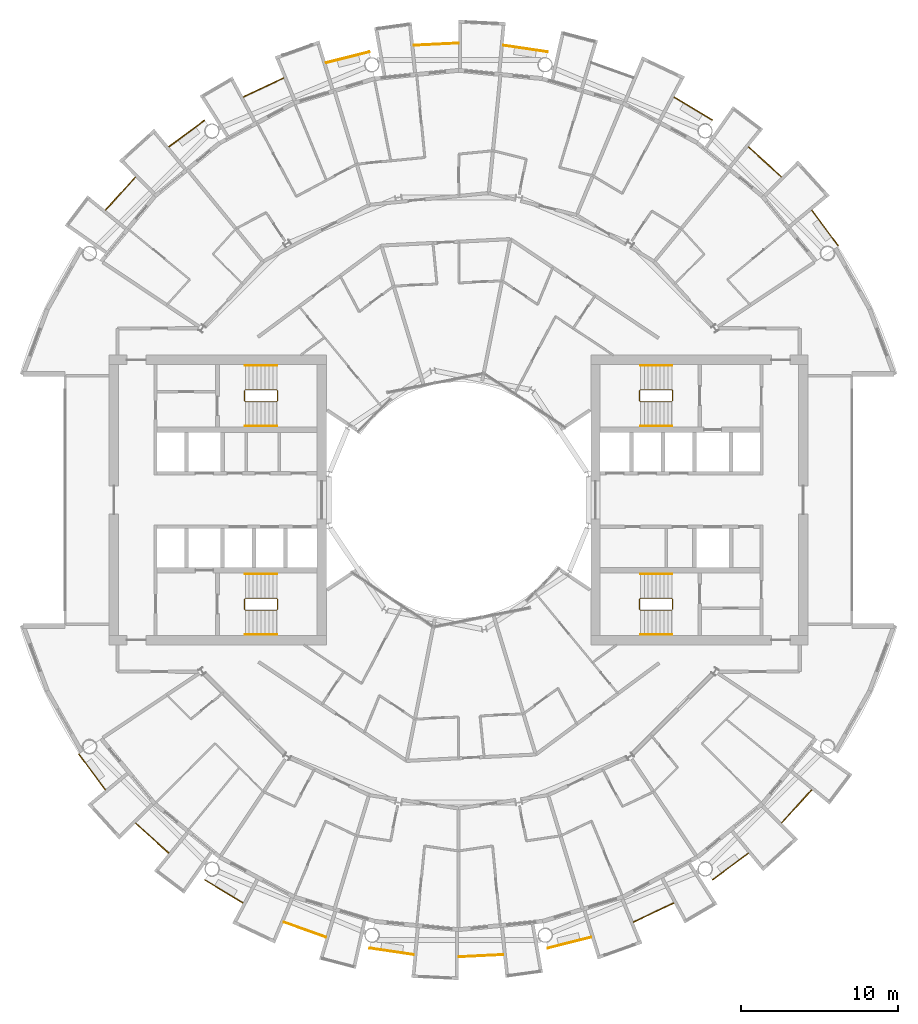
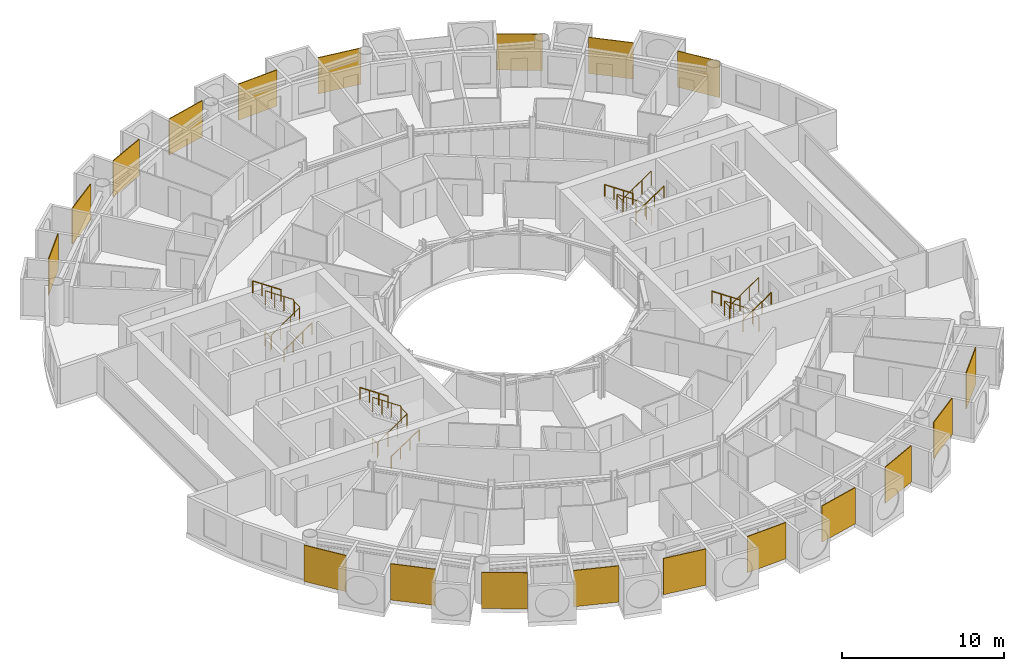
# One storey, part 26 of 27: 31 railings.
"""IFC4 building model written with IfcOpenShell, lengths in metres."""

from ifc_helpers import new_model, si_unit, direction, frame, origin, origin_2d, place, context, subcontext, project, spatial, polyline, circle, outline, extrude, material, layer, layer_set, type_object, element, save


model = new_model("IFC4")

# Units and contexts
model_context = context("Model", 3, precision=1e-05, world=origin(), true_north=direction((0.0, 1.0)))
body_context = subcontext(model_context, "Body", "Model", "MODEL_VIEW")
ifc_project = project(units=[si_unit("LENGTHUNIT", "METRE"), si_unit("AREAUNIT", "SQUARE_METRE"), si_unit("VOLUMEUNIT", "CUBIC_METRE"), si_unit("PLANEANGLEUNIT", "RADIAN"), si_unit("MASSUNIT", "GRAM", prefix="KILO")], contexts=[model_context])

# Site, building, storey
site_placement = place(None, origin())
site = spatial("IfcSite", under=ifc_project, at=site_placement, CompositionType="ELEMENT")
building_placement = place(site_placement, origin())
building = spatial("IfcBuilding", under=site, at=building_placement, Name="Maasbend Ring Residences", CompositionType="ELEMENT")
storey_placement = place(building_placement, frame((0.0, 0.0, 126.89990234375)))
storey = spatial("IfcBuildingStorey", under=building, at=storey_placement, Name="L36", CompositionType="ELEMENT", Elevation=126.89990234375)

# Railings
ifc_material_1 = material(Name="Pale anodised perforated aluminium", Category="aluminium")
ifc_layer = layer(ifc_material_1, 0.06005859375)
ifc_layer_set = layer_set([ifc_layer], Name="SCREEN-P")
railing_type_1 = type_object("IfcRailingType", Name="SCREEN-P", PredefinedType="GUARDRAIL", material=ifc_layer_set)
railing_1_placement = place(storey_placement, frame((0.0, 0.0, -0.02978515625)))
element("IfcRailing", 1, at=railing_1_placement, inside=storey, type_object=railing_type_1, Name="Perforated screen guard 1", PredefinedType="GUARDRAIL", context=body_context, shape_type="SweptSolid", body=[
    extrude(outline(polyline([(24.113037109375, 16.112060546875), (22.4169921875, 18.39697265625), (22.465087890625, 18.43310546875), (24.160888671875, 16.14697265625), (24.113037109375, 16.112060546875)])), origin(), (0.0, 0.0, 1.0), 2.72998046875),
])
railing_2_placement = place(storey_placement, frame((0.0, 0.0, -0.02978515625)))
element("IfcRailing", 2, at=railing_2_placement, inside=storey, type_object=railing_type_1, Name="Perforated screen guard 2", PredefinedType="GUARDRAIL", context=body_context, shape_type="SweptSolid", body=[
    extrude(outline(polyline([(20.506103515625, 20.506103515625), (18.39697265625, 22.4169921875), (18.43798828125, 22.4619140625), (20.5458984375, 20.551025390625), (20.506103515625, 20.506103515625)])), origin(), (0.0, 0.0, 1.0), 2.72998046875),
])
railing_3_placement = place(storey_placement, frame((0.0, 0.0, -0.02978515625)))
element("IfcRailing", 3, at=railing_3_placement, inside=storey, type_object=railing_type_1, Name="Perforated screen guard 3", PredefinedType="GUARDRAIL", context=body_context, shape_type="SweptSolid", body=[
    extrude(outline(polyline([(16.112060546875, 24.113037109375), (13.6708984375, 25.575927734375), (13.700927734375, 25.626953125), (16.14208984375, 24.1640625), (16.112060546875, 24.113037109375)])), origin(), (0.0, 0.0, 1.0), 2.72998046875),
])
railing_4_placement = place(storey_placement, frame((0.0, 0.0, -0.02978515625)))
element("IfcRailing", 4, at=railing_4_placement, inside=storey, type_object=railing_type_1, Name="Perforated screen guard 5", PredefinedType="GUARDRAIL", context=body_context, shape_type="SweptSolid", body=[
    extrude(outline(polyline([(5.657958984375, 28.443115234375), (2.842041015625, 28.860107421875), (2.85107421875, 28.919921875), (5.666015625, 28.501953125), (5.657958984375, 28.443115234375)])), origin(), (0.0, 0.0, 1.0), 2.72998046875),
])
railing_5_placement = place(storey_placement, frame((0.0, 0.0, -0.02978515625)))
element("IfcRailing", 5, at=railing_5_placement, inside=storey, type_object=railing_type_1, Name="Perforated screen guard 6", PredefinedType="GUARDRAIL", context=body_context, shape_type="SweptSolid", body=[
    extrude(outline(polyline([(0.0, 29.0), (-2.842041015625, 28.860107421875), (-2.844970703125, 28.919921875), (-0.0029296875, 29.06005859375), (0.0, 29.0)])), origin(), (0.0, 0.0, 1.0), 2.72998046875),
])
railing_6_placement = place(storey_placement, frame((0.0, 0.0, -0.02978515625)))
element("IfcRailing", 6, at=railing_6_placement, inside=storey, type_object=railing_type_1, Name="Perforated screen guard 7", PredefinedType="GUARDRAIL", context=body_context, shape_type="SweptSolid", body=[
    extrude(outline(polyline([(-5.657958984375, 28.443115234375), (-8.41796875, 27.7509765625), (-8.43310546875, 27.80908203125), (-5.672119140625, 28.5009765625), (-5.657958984375, 28.443115234375)])), origin(), (0.0, 0.0, 1.0), 2.72998046875),
])
railing_7_placement = place(storey_placement, frame((0.0, 0.0, -0.02978515625)))
element("IfcRailing", 7, at=railing_7_placement, inside=storey, type_object=railing_type_1, Name="Perforated screen guard 8", PredefinedType="GUARDRAIL", context=body_context, shape_type="SweptSolid", body=[
    extrude(outline(polyline([(-11.097900390625, 26.79296875), (-13.6708984375, 25.575927734375), (-13.696044921875, 25.6298828125), (-11.123046875, 26.846923828125), (-11.097900390625, 26.79296875)])), origin(), (0.0, 0.0, 1.0), 2.72998046875),
])
railing_8_placement = place(storey_placement, frame((0.0, 0.0, -0.02978515625)))
element("IfcRailing", 8, at=railing_8_placement, inside=storey, type_object=railing_type_1, Name="Perforated screen guard 9", PredefinedType="GUARDRAIL", context=body_context, shape_type="SweptSolid", body=[
    extrude(outline(polyline([(-16.112060546875, 24.113037109375), (-18.39697265625, 22.4169921875), (-18.43310546875, 22.465087890625), (-16.14697265625, 24.160888671875), (-16.112060546875, 24.113037109375)])), origin(), (0.0, 0.0, 1.0), 2.72998046875),
])
railing_9_placement = place(storey_placement, frame((0.0, 0.0, -0.02978515625)))
element("IfcRailing", 9, at=railing_9_placement, inside=storey, type_object=railing_type_1, Name="Perforated screen guard 10", PredefinedType="GUARDRAIL", context=body_context, shape_type="SweptSolid", body=[
    extrude(outline(polyline([(-20.506103515625, 20.506103515625), (-22.4169921875, 18.39697265625), (-22.4619140625, 18.43798828125), (-20.551025390625, 20.5458984375), (-20.506103515625, 20.506103515625)])), origin(), (0.0, 0.0, 1.0), 2.72998046875),
])
railing_10_placement = place(storey_placement, frame((0.0, 0.0, -0.02978515625)))
element("IfcRailing", 10, at=railing_10_placement, inside=storey, type_object=railing_type_1, Name="Perforated screen guard 1", PredefinedType="GUARDRAIL", context=body_context, shape_type="SweptSolid", body=[
    extrude(outline(polyline([(-24.113037109375, -16.112060546875), (-22.4169921875, -18.39697265625), (-22.465087890625, -18.43310546875), (-24.160888671875, -16.14697265625), (-24.113037109375, -16.112060546875)])), origin(), (0.0, 0.0, 1.0), 2.72998046875),
])
railing_11_placement = place(storey_placement, frame((0.0, 0.0, -0.02978515625)))
element("IfcRailing", 11, at=railing_11_placement, inside=storey, type_object=railing_type_1, Name="Perforated screen guard 2", PredefinedType="GUARDRAIL", context=body_context, shape_type="SweptSolid", body=[
    extrude(outline(polyline([(-20.506103515625, -20.506103515625), (-18.39697265625, -22.4169921875), (-18.43798828125, -22.4619140625), (-20.5458984375, -20.551025390625), (-20.506103515625, -20.506103515625)])), origin(), (0.0, 0.0, 1.0), 2.72998046875),
])
railing_12_placement = place(storey_placement, frame((0.0, 0.0, -0.02978515625)))
element("IfcRailing", 12, at=railing_12_placement, inside=storey, type_object=railing_type_1, Name="Perforated screen guard 3", PredefinedType="GUARDRAIL", context=body_context, shape_type="SweptSolid", body=[
    extrude(outline(polyline([(-16.112060546875, -24.113037109375), (-13.6708984375, -25.575927734375), (-13.700927734375, -25.626953125), (-16.14208984375, -24.1640625), (-16.112060546875, -24.113037109375)])), origin(), (0.0, 0.0, 1.0), 2.72998046875),
])
railing_13_placement = place(storey_placement, frame((0.0, 0.0, -0.02978515625)))
element("IfcRailing", 13, at=railing_13_placement, inside=storey, type_object=railing_type_1, Name="Perforated screen guard 4", PredefinedType="GUARDRAIL", context=body_context, shape_type="SweptSolid", body=[
    extrude(outline(polyline([(-11.097900390625, -26.79296875), (-8.41796875, -27.7509765625), (-8.43798828125, -27.80810546875), (-11.117919921875, -26.84912109375), (-11.097900390625, -26.79296875)])), origin(), (0.0, 0.0, 1.0), 2.72998046875),
])
railing_14_placement = place(storey_placement, frame((0.0, 0.0, -0.02978515625)))
element("IfcRailing", 14, at=railing_14_placement, inside=storey, type_object=railing_type_1, Name="Perforated screen guard 5", PredefinedType="GUARDRAIL", context=body_context, shape_type="SweptSolid", body=[
    extrude(outline(polyline([(-5.657958984375, -28.443115234375), (-2.842041015625, -28.860107421875), (-2.85107421875, -28.919921875), (-5.666015625, -28.501953125), (-5.657958984375, -28.443115234375)])), origin(), (0.0, 0.0, 1.0), 2.72998046875),
])
railing_15_placement = place(storey_placement, frame((0.0, 0.0, -0.02978515625)))
element("IfcRailing", 15, at=railing_15_placement, inside=storey, type_object=railing_type_1, Name="Perforated screen guard 6", PredefinedType="GUARDRAIL", context=body_context, shape_type="SweptSolid", body=[
    extrude(outline(polyline([(0.0, -29.0), (2.842041015625, -28.860107421875), (2.844970703125, -28.919921875), (0.0029296875, -29.06005859375), (0.0, -29.0)])), origin(), (0.0, 0.0, 1.0), 2.72998046875),
])
railing_16_placement = place(storey_placement, frame((0.0, 0.0, -0.02978515625)))
element("IfcRailing", 16, at=railing_16_placement, inside=storey, type_object=railing_type_1, Name="Perforated screen guard 7", PredefinedType="GUARDRAIL", context=body_context, shape_type="SweptSolid", body=[
    extrude(outline(polyline([(5.657958984375, -28.443115234375), (8.41796875, -27.7509765625), (8.43310546875, -27.80908203125), (5.672119140625, -28.5009765625), (5.657958984375, -28.443115234375)])), origin(), (0.0, 0.0, 1.0), 2.72998046875),
])
railing_17_placement = place(storey_placement, frame((0.0, 0.0, -0.02978515625)))
element("IfcRailing", 17, at=railing_17_placement, inside=storey, type_object=railing_type_1, Name="Perforated screen guard 8", PredefinedType="GUARDRAIL", context=body_context, shape_type="SweptSolid", body=[
    extrude(outline(polyline([(11.097900390625, -26.79296875), (13.6708984375, -25.575927734375), (13.696044921875, -25.6298828125), (11.123046875, -26.846923828125), (11.097900390625, -26.79296875)])), origin(), (0.0, 0.0, 1.0), 2.72998046875),
])
railing_18_placement = place(storey_placement, frame((0.0, 0.0, -0.02978515625)))
element("IfcRailing", 18, at=railing_18_placement, inside=storey, type_object=railing_type_1, Name="Perforated screen guard 9", PredefinedType="GUARDRAIL", context=body_context, shape_type="SweptSolid", body=[
    extrude(outline(polyline([(16.112060546875, -24.113037109375), (18.39697265625, -22.4169921875), (18.43310546875, -22.465087890625), (16.14697265625, -24.160888671875), (16.112060546875, -24.113037109375)])), origin(), (0.0, 0.0, 1.0), 2.72998046875),
])
railing_19_placement = place(storey_placement, frame((0.0, 0.0, -0.02978515625)))
element("IfcRailing", 19, at=railing_19_placement, inside=storey, type_object=railing_type_1, Name="Perforated screen guard 10", PredefinedType="GUARDRAIL", context=body_context, shape_type="SweptSolid", body=[
    extrude(outline(polyline([(20.506103515625, -20.506103515625), (22.4169921875, -18.39697265625), (22.4619140625, -18.43798828125), (20.551025390625, -20.5458984375), (20.506103515625, -20.506103515625)])), origin(), (0.0, 0.0, 1.0), 2.72998046875),
])
ifc_material_2 = material(Name="Stainless steel 316", Category="steel")
railing_type_2 = type_object("IfcRailingType", Name="STAIR GUARD 1100", PredefinedType="GUARDRAIL", material=ifc_material_2)
railing_20_placement = place(storey_placement, frame((13.60009765625, 6.300048828125, 0.0)))
element("IfcRailing", 20, at=railing_20_placement, inside=storey, type_object=railing_type_2, Name="L36 ST-E1 stair guard 1", PredefinedType="GUARDRAIL", context=body_context, shape_type="SweptSolid", body=[
    extrude(circle(Radius=0.02392578125, at=origin_2d()), frame((0.0, 0.0, 1.076171875), z_axis=(0.0, 1.0, 0.0), x_axis=(-1.0, 0.0, 0.0)), (0.0, 0.0, 1.0), 0.64990234375),
    extrude(circle(Radius=0.02392578125, at=origin_2d()), frame((0.0, 0.64990234375, 1.076171875), z_axis=(-0.272562526181, 0.272562526181, 0.92272386912), x_axis=(-0.707106781187, -0.707106781187, 0.0)), (0.0, 0.0, 1.0), 0.18359375),
    extrude(circle(Radius=0.02392578125, at=origin_2d()), frame((-0.050048828125, 0.699951171875, 1.24560546875), z_axis=(-0.827750655447, 0.0, 0.561096116906), x_axis=(0.0, -1.0, 0.0)), (0.0, 0.0, 1.0), 2.416259765625),
    extrude(circle(Radius=0.02392578125, at=origin_2d()), frame((-2.050048828125, 0.699951171875, 2.60107421875), z_axis=(-0.707106781187, -0.707106781187, 0.0), x_axis=(0.707106781187, -0.707106781187, 0.0)), (0.0, 0.0, 1.0), 0.07080078125),
    extrude(circle(Radius=0.02392578125, at=origin_2d()), frame((-2.10009765625, 0.64990234375, 2.60107421875), z_axis=(0.0, -1.0, 0.0), x_axis=(1.0, 0.0, 0.0)), (0.0, 0.0, 1.0), 0.64990234375),
    extrude(circle(Radius=0.02392578125, at=origin_2d()), frame((-2.10009765625, 0.0, 2.60107421875), z_axis=(0.272562526181, -0.272562526181, 0.92272386912), x_axis=(0.707106781187, 0.707106781187, 0.0)), (0.0, 0.0, 1.0), 0.18359375),
    extrude(circle(Radius=0.02392578125, at=origin_2d()), frame((-2.050048828125, -0.050048828125, 2.7705078125), z_axis=(0.827797584762, 0.0, 0.561026878735), x_axis=(0.0, 1.0, 0.0)), (0.0, 0.0, 1.0), 2.416015625),
    extrude(circle(Radius=0.02099609375, at=origin_2d()), origin(), (0.0, 0.0, 1.0), 1.052001953125),
    extrude(circle(Radius=0.02099609375, at=origin_2d()), frame((0.0, 0.64990234375, 0.0)), (0.0, 0.0, 1.0), 1.052001953125),
    extrude(circle(Radius=0.02099609375, at=origin_2d()), frame((-0.050048828125, 0.699951171875, 0.16943359375)), (0.0, 0.0, 1.0), 1.052001953125),
    extrude(circle(Radius=0.02099609375, at=origin_2d()), frame((-0.716796875, 0.699951171875, 0.621337890625)), (0.0, 0.0, 1.0), 1.052001953125),
    extrude(circle(Radius=0.02099609375, at=origin_2d()), frame((-1.38330078125, 0.699951171875, 1.0732421875)), (0.0, 0.0, 1.0), 1.052001953125),
    extrude(circle(Radius=0.02099609375, at=origin_2d()), frame((-2.050048828125, 0.699951171875, 1.525146484375)), (0.0, 0.0, 1.0), 1.052001953125),
    extrude(circle(Radius=0.02099609375, at=origin_2d()), frame((-2.10009765625, 0.64990234375, 1.525146484375)), (0.0, 0.0, 1.0), 1.052001953125),
    extrude(circle(Radius=0.02099609375, at=origin_2d()), frame((-2.10009765625, 0.0, 1.525146484375)), (0.0, 0.0, 1.0), 1.052001953125),
    extrude(circle(Radius=0.02099609375, at=origin_2d()), frame((-2.050048828125, -0.050048828125, 1.694580078125)), (0.0, 0.0, 1.0), 1.052001953125),
    extrude(circle(Radius=0.02099609375, at=origin_2d()), frame((-1.38330078125, -0.050048828125, 2.146484375)), (0.0, 0.0, 1.0), 1.052001953125),
    extrude(circle(Radius=0.02099609375, at=origin_2d()), frame((-0.716796875, -0.050048828125, 2.59814453125)), (0.0, 0.0, 1.0), 1.052001953125),
    extrude(circle(Radius=0.02099609375, at=origin_2d()), frame((-0.050048828125, -0.050048828125, 3.050048828125)), (0.0, 0.0, 1.0), 1.052001953125),
])
railing_21_placement = place(storey_placement, frame((13.60009765625, -6.949951171875, 0.0)))
element("IfcRailing", 21, at=railing_21_placement, inside=storey, type_object=railing_type_2, Name="L36 ST-E2 stair guard 1", PredefinedType="GUARDRAIL", context=body_context, shape_type="SweptSolid", body=[
    extrude(circle(Radius=0.02392578125, at=origin_2d()), frame((0.0, 0.0, 1.076171875), z_axis=(0.0, 1.0, 0.0), x_axis=(-1.0, 0.0, 0.0)), (0.0, 0.0, 1.0), 0.64990234375),
    extrude(circle(Radius=0.02392578125, at=origin_2d()), frame((0.0, 0.64990234375, 1.076171875), z_axis=(-0.272562526181, 0.272562526181, 0.92272386912), x_axis=(-0.707106781187, -0.707106781187, 0.0)), (0.0, 0.0, 1.0), 0.18359375),
    extrude(circle(Radius=0.02392578125, at=origin_2d()), frame((-0.050048828125, 0.699951171875, 1.24560546875), z_axis=(-0.827750655447, 0.0, 0.561096116906), x_axis=(0.0, -1.0, 0.0)), (0.0, 0.0, 1.0), 2.416259765625),
    extrude(circle(Radius=0.02392578125, at=origin_2d()), frame((-2.050048828125, 0.699951171875, 2.60107421875), z_axis=(-0.707106781187, -0.707106781187, 0.0), x_axis=(0.707106781187, -0.707106781187, 0.0)), (0.0, 0.0, 1.0), 0.07080078125),
    extrude(circle(Radius=0.02392578125, at=origin_2d()), frame((-2.10009765625, 0.64990234375, 2.60107421875), z_axis=(0.0, -1.0, 0.0), x_axis=(1.0, 0.0, 0.0)), (0.0, 0.0, 1.0), 0.64990234375),
    extrude(circle(Radius=0.02392578125, at=origin_2d()), frame((-2.10009765625, 0.0, 2.60107421875), z_axis=(0.272562526181, -0.272562526181, 0.92272386912), x_axis=(0.707106781187, 0.707106781187, 0.0)), (0.0, 0.0, 1.0), 0.18359375),
    extrude(circle(Radius=0.02392578125, at=origin_2d()), frame((-2.050048828125, -0.050048828125, 2.7705078125), z_axis=(0.827797584762, 0.0, 0.561026878735), x_axis=(0.0, 1.0, 0.0)), (0.0, 0.0, 1.0), 2.416015625),
    extrude(circle(Radius=0.02099609375, at=origin_2d()), origin(), (0.0, 0.0, 1.0), 1.052001953125),
    extrude(circle(Radius=0.02099609375, at=origin_2d()), frame((0.0, 0.64990234375, 0.0)), (0.0, 0.0, 1.0), 1.052001953125),
    extrude(circle(Radius=0.02099609375, at=origin_2d()), frame((-0.050048828125, 0.699951171875, 0.16943359375)), (0.0, 0.0, 1.0), 1.052001953125),
    extrude(circle(Radius=0.02099609375, at=origin_2d()), frame((-0.716796875, 0.699951171875, 0.621337890625)), (0.0, 0.0, 1.0), 1.052001953125),
    extrude(circle(Radius=0.02099609375, at=origin_2d()), frame((-1.38330078125, 0.699951171875, 1.0732421875)), (0.0, 0.0, 1.0), 1.052001953125),
    extrude(circle(Radius=0.02099609375, at=origin_2d()), frame((-2.050048828125, 0.699951171875, 1.525146484375)), (0.0, 0.0, 1.0), 1.052001953125),
    extrude(circle(Radius=0.02099609375, at=origin_2d()), frame((-2.10009765625, 0.64990234375, 1.525146484375)), (0.0, 0.0, 1.0), 1.052001953125),
    extrude(circle(Radius=0.02099609375, at=origin_2d()), frame((-2.10009765625, 0.0, 1.525146484375)), (0.0, 0.0, 1.0), 1.052001953125),
    extrude(circle(Radius=0.02099609375, at=origin_2d()), frame((-2.050048828125, -0.050048828125, 1.694580078125)), (0.0, 0.0, 1.0), 1.052001953125),
    extrude(circle(Radius=0.02099609375, at=origin_2d()), frame((-1.38330078125, -0.050048828125, 2.146484375)), (0.0, 0.0, 1.0), 1.052001953125),
    extrude(circle(Radius=0.02099609375, at=origin_2d()), frame((-0.716796875, -0.050048828125, 2.59814453125)), (0.0, 0.0, 1.0), 1.052001953125),
    extrude(circle(Radius=0.02099609375, at=origin_2d()), frame((-0.050048828125, -0.050048828125, 3.050048828125)), (0.0, 0.0, 1.0), 1.052001953125),
])
railing_22_placement = place(storey_placement, frame((-13.60009765625, -6.300048828125, 0.0)))
element("IfcRailing", 22, at=railing_22_placement, inside=storey, type_object=railing_type_2, Name="L36 ST-W1 stair guard 1", PredefinedType="GUARDRAIL", context=body_context, shape_type="SweptSolid", body=[
    extrude(circle(Radius=0.02392578125, at=origin_2d()), frame((0.0, 0.0, 1.076171875), z_axis=(0.0, -1.0, 0.0), x_axis=(1.0, 0.0, 0.0)), (0.0, 0.0, 1.0), 0.64990234375),
    extrude(circle(Radius=0.02392578125, at=origin_2d()), frame((0.0, -0.64990234375, 1.076171875), z_axis=(0.272562526181, -0.272562526181, 0.92272386912), x_axis=(0.707106781187, 0.707106781187, 0.0)), (0.0, 0.0, 1.0), 0.18359375),
    extrude(circle(Radius=0.02392578125, at=origin_2d()), frame((0.050048828125, -0.699951171875, 1.24560546875), z_axis=(0.827750655447, 0.0, 0.561096116906), x_axis=(0.0, 1.0, 0.0)), (0.0, 0.0, 1.0), 2.416259765625),
    extrude(circle(Radius=0.02392578125, at=origin_2d()), frame((2.050048828125, -0.699951171875, 2.60107421875), z_axis=(0.707106781187, 0.707106781187, 0.0), x_axis=(-0.707106781187, 0.707106781187, 0.0)), (0.0, 0.0, 1.0), 0.07080078125),
    extrude(circle(Radius=0.02392578125, at=origin_2d()), frame((2.10009765625, -0.64990234375, 2.60107421875), z_axis=(0.0, 1.0, 0.0), x_axis=(-1.0, 0.0, 0.0)), (0.0, 0.0, 1.0), 0.64990234375),
    extrude(circle(Radius=0.02392578125, at=origin_2d()), frame((2.10009765625, 0.0, 2.60107421875), z_axis=(-0.272562526181, 0.272562526181, 0.92272386912), x_axis=(-0.707106781187, -0.707106781187, 0.0)), (0.0, 0.0, 1.0), 0.18359375),
    extrude(circle(Radius=0.02392578125, at=origin_2d()), frame((2.050048828125, 0.050048828125, 2.7705078125), z_axis=(-0.827797584762, 0.0, 0.561026878735), x_axis=(0.0, -1.0, 0.0)), (0.0, 0.0, 1.0), 2.416015625),
    extrude(circle(Radius=0.02099609375, at=origin_2d()), origin(), (0.0, 0.0, 1.0), 1.052001953125),
    extrude(circle(Radius=0.02099609375, at=origin_2d()), frame((0.0, -0.64990234375, 0.0)), (0.0, 0.0, 1.0), 1.052001953125),
    extrude(circle(Radius=0.02099609375, at=origin_2d()), frame((0.050048828125, -0.699951171875, 0.16943359375)), (0.0, 0.0, 1.0), 1.052001953125),
    extrude(circle(Radius=0.02099609375, at=origin_2d()), frame((0.716796875, -0.699951171875, 0.621337890625)), (0.0, 0.0, 1.0), 1.052001953125),
    extrude(circle(Radius=0.02099609375, at=origin_2d()), frame((1.38330078125, -0.699951171875, 1.0732421875)), (0.0, 0.0, 1.0), 1.052001953125),
    extrude(circle(Radius=0.02099609375, at=origin_2d()), frame((2.050048828125, -0.699951171875, 1.525146484375)), (0.0, 0.0, 1.0), 1.052001953125),
    extrude(circle(Radius=0.02099609375, at=origin_2d()), frame((2.10009765625, -0.64990234375, 1.525146484375)), (0.0, 0.0, 1.0), 1.052001953125),
    extrude(circle(Radius=0.02099609375, at=origin_2d()), frame((2.10009765625, 0.0, 1.525146484375)), (0.0, 0.0, 1.0), 1.052001953125),
    extrude(circle(Radius=0.02099609375, at=origin_2d()), frame((2.050048828125, 0.050048828125, 1.694580078125)), (0.0, 0.0, 1.0), 1.052001953125),
    extrude(circle(Radius=0.02099609375, at=origin_2d()), frame((1.38330078125, 0.050048828125, 2.146484375)), (0.0, 0.0, 1.0), 1.052001953125),
    extrude(circle(Radius=0.02099609375, at=origin_2d()), frame((0.716796875, 0.050048828125, 2.59814453125)), (0.0, 0.0, 1.0), 1.052001953125),
    extrude(circle(Radius=0.02099609375, at=origin_2d()), frame((0.050048828125, 0.050048828125, 3.050048828125)), (0.0, 0.0, 1.0), 1.052001953125),
])
railing_23_placement = place(storey_placement, frame((-13.60009765625, 6.949951171875, 0.0)))
element("IfcRailing", 23, at=railing_23_placement, inside=storey, type_object=railing_type_2, Name="L36 ST-W2 stair guard 1", PredefinedType="GUARDRAIL", context=body_context, shape_type="SweptSolid", body=[
    extrude(circle(Radius=0.02392578125, at=origin_2d()), frame((0.0, 0.0, 1.076171875), z_axis=(0.0, -1.0, 0.0), x_axis=(1.0, 0.0, 0.0)), (0.0, 0.0, 1.0), 0.64990234375),
    extrude(circle(Radius=0.02392578125, at=origin_2d()), frame((0.0, -0.64990234375, 1.076171875), z_axis=(0.272562526181, -0.272562526181, 0.92272386912), x_axis=(0.707106781187, 0.707106781187, 0.0)), (0.0, 0.0, 1.0), 0.18359375),
    extrude(circle(Radius=0.02392578125, at=origin_2d()), frame((0.050048828125, -0.699951171875, 1.24560546875), z_axis=(0.827750655447, 0.0, 0.561096116906), x_axis=(0.0, 1.0, 0.0)), (0.0, 0.0, 1.0), 2.416259765625),
    extrude(circle(Radius=0.02392578125, at=origin_2d()), frame((2.050048828125, -0.699951171875, 2.60107421875), z_axis=(0.707106781187, 0.707106781187, 0.0), x_axis=(-0.707106781187, 0.707106781187, 0.0)), (0.0, 0.0, 1.0), 0.07080078125),
    extrude(circle(Radius=0.02392578125, at=origin_2d()), frame((2.10009765625, -0.64990234375, 2.60107421875), z_axis=(0.0, 1.0, 0.0), x_axis=(-1.0, 0.0, 0.0)), (0.0, 0.0, 1.0), 0.64990234375),
    extrude(circle(Radius=0.02392578125, at=origin_2d()), frame((2.10009765625, 0.0, 2.60107421875), z_axis=(-0.272562526181, 0.272562526181, 0.92272386912), x_axis=(-0.707106781187, -0.707106781187, 0.0)), (0.0, 0.0, 1.0), 0.18359375),
    extrude(circle(Radius=0.02392578125, at=origin_2d()), frame((2.050048828125, 0.050048828125, 2.7705078125), z_axis=(-0.827797584762, 0.0, 0.561026878735), x_axis=(0.0, -1.0, 0.0)), (0.0, 0.0, 1.0), 2.416015625),
    extrude(circle(Radius=0.02099609375, at=origin_2d()), origin(), (0.0, 0.0, 1.0), 1.052001953125),
    extrude(circle(Radius=0.02099609375, at=origin_2d()), frame((0.0, -0.64990234375, 0.0)), (0.0, 0.0, 1.0), 1.052001953125),
    extrude(circle(Radius=0.02099609375, at=origin_2d()), frame((0.050048828125, -0.699951171875, 0.16943359375)), (0.0, 0.0, 1.0), 1.052001953125),
    extrude(circle(Radius=0.02099609375, at=origin_2d()), frame((0.716796875, -0.699951171875, 0.621337890625)), (0.0, 0.0, 1.0), 1.052001953125),
    extrude(circle(Radius=0.02099609375, at=origin_2d()), frame((1.38330078125, -0.699951171875, 1.0732421875)), (0.0, 0.0, 1.0), 1.052001953125),
    extrude(circle(Radius=0.02099609375, at=origin_2d()), frame((2.050048828125, -0.699951171875, 1.525146484375)), (0.0, 0.0, 1.0), 1.052001953125),
    extrude(circle(Radius=0.02099609375, at=origin_2d()), frame((2.10009765625, -0.64990234375, 1.525146484375)), (0.0, 0.0, 1.0), 1.052001953125),
    extrude(circle(Radius=0.02099609375, at=origin_2d()), frame((2.10009765625, 0.0, 1.525146484375)), (0.0, 0.0, 1.0), 1.052001953125),
    extrude(circle(Radius=0.02099609375, at=origin_2d()), frame((2.050048828125, 0.050048828125, 1.694580078125)), (0.0, 0.0, 1.0), 1.052001953125),
    extrude(circle(Radius=0.02099609375, at=origin_2d()), frame((1.38330078125, 0.050048828125, 2.146484375)), (0.0, 0.0, 1.0), 1.052001953125),
    extrude(circle(Radius=0.02099609375, at=origin_2d()), frame((0.716796875, 0.050048828125, 2.59814453125)), (0.0, 0.0, 1.0), 1.052001953125),
    extrude(circle(Radius=0.02099609375, at=origin_2d()), frame((0.050048828125, 0.050048828125, 3.050048828125)), (0.0, 0.0, 1.0), 1.052001953125),
])
ifc_material_3 = material(Name="Stainless steel 316", Category="steel")
railing_type_3 = type_object("IfcRailingType", Name="STAIR HANDRAIL 900", PredefinedType="HANDRAIL", material=ifc_material_3)
railing_24_placement = place(storey_placement, frame((13.550048828125, 8.550048828125, 0.16943359375)))
element("IfcRailing", 24, at=railing_24_placement, inside=storey, type_object=railing_type_3, Name="L36 ST-E1 stair handrail 1", PredefinedType="HANDRAIL", context=body_context, shape_type="SweptSolid", body=[
    extrude(circle(Radius=0.02392578125, at=origin_2d()), frame((0.0, 0.0, 0.8759765625), z_axis=(-0.827750655447, 0.0, 0.561096116906), x_axis=(0.0, -1.0, 0.0)), (0.0, 0.0, 1.0), 2.416259765625),
    extrude(circle(Radius=0.02099609375, at=origin_2d()), origin(), (0.0, 0.0, 1.0), 0.851806640625),
    extrude(circle(Radius=0.02099609375, at=origin_2d()), frame((-0.666748046875, 0.0, 0.451904296875)), (0.0, 0.0, 1.0), 0.851806640625),
    extrude(circle(Radius=0.02099609375, at=origin_2d()), frame((-1.333251953125, 0.0, 0.90380859375)), (0.0, 0.0, 1.0), 0.851806640625),
    extrude(circle(Radius=0.02099609375, at=origin_2d()), frame((-2.0, 0.0, 1.355712890625)), (0.0, 0.0, 1.0), 0.851806640625),
])
railing_25_placement = place(storey_placement, frame((11.550048828125, 4.699951171875, 1.694580078125)))
element("IfcRailing", 25, at=railing_25_placement, inside=storey, type_object=railing_type_3, Name="L36 ST-E1 stair handrail 2", PredefinedType="HANDRAIL", context=body_context, shape_type="SweptSolid", body=[
    extrude(circle(Radius=0.02392578125, at=origin_2d()), frame((0.0, 0.0, 0.8759765625), z_axis=(0.827797584762, 0.0, 0.561026878735), x_axis=(0.0, 1.0, 0.0)), (0.0, 0.0, 1.0), 2.416015625),
    extrude(circle(Radius=0.02099609375, at=origin_2d()), origin(), (0.0, 0.0, 1.0), 0.851806640625),
    extrude(circle(Radius=0.02099609375, at=origin_2d()), frame((0.666748046875, 0.0, 0.451904296875)), (0.0, 0.0, 1.0), 0.851806640625),
    extrude(circle(Radius=0.02099609375, at=origin_2d()), frame((1.333251953125, 0.0, 0.903564453125)), (0.0, 0.0, 1.0), 0.851806640625),
    extrude(circle(Radius=0.02099609375, at=origin_2d()), frame((2.0, 0.0, 1.35546875)), (0.0, 0.0, 1.0), 0.851806640625),
])
railing_26_placement = place(storey_placement, frame((13.550048828125, -4.699951171875, 0.16943359375)))
element("IfcRailing", 26, at=railing_26_placement, inside=storey, type_object=railing_type_3, Name="L36 ST-E2 stair handrail 1", PredefinedType="HANDRAIL", context=body_context, shape_type="SweptSolid", body=[
    extrude(circle(Radius=0.02392578125, at=origin_2d()), frame((0.0, 0.0, 0.8759765625), z_axis=(-0.827750655447, 0.0, 0.561096116906), x_axis=(0.0, -1.0, 0.0)), (0.0, 0.0, 1.0), 2.416259765625),
    extrude(circle(Radius=0.02099609375, at=origin_2d()), origin(), (0.0, 0.0, 1.0), 0.851806640625),
    extrude(circle(Radius=0.02099609375, at=origin_2d()), frame((-0.666748046875, 0.0, 0.451904296875)), (0.0, 0.0, 1.0), 0.851806640625),
    extrude(circle(Radius=0.02099609375, at=origin_2d()), frame((-1.333251953125, 0.0, 0.90380859375)), (0.0, 0.0, 1.0), 0.851806640625),
    extrude(circle(Radius=0.02099609375, at=origin_2d()), frame((-2.0, 0.0, 1.355712890625)), (0.0, 0.0, 1.0), 0.851806640625),
])
railing_27_placement = place(storey_placement, frame((11.550048828125, -8.550048828125, 1.694580078125)))
element("IfcRailing", 27, at=railing_27_placement, inside=storey, type_object=railing_type_3, Name="L36 ST-E2 stair handrail 2", PredefinedType="HANDRAIL", context=body_context, shape_type="SweptSolid", body=[
    extrude(circle(Radius=0.02392578125, at=origin_2d()), frame((0.0, 0.0, 0.8759765625), z_axis=(0.827797584762, 0.0, 0.561026878735), x_axis=(0.0, 1.0, 0.0)), (0.0, 0.0, 1.0), 2.416015625),
    extrude(circle(Radius=0.02099609375, at=origin_2d()), origin(), (0.0, 0.0, 1.0), 0.851806640625),
    extrude(circle(Radius=0.02099609375, at=origin_2d()), frame((0.666748046875, 0.0, 0.451904296875)), (0.0, 0.0, 1.0), 0.851806640625),
    extrude(circle(Radius=0.02099609375, at=origin_2d()), frame((1.333251953125, 0.0, 0.903564453125)), (0.0, 0.0, 1.0), 0.851806640625),
    extrude(circle(Radius=0.02099609375, at=origin_2d()), frame((2.0, 0.0, 1.35546875)), (0.0, 0.0, 1.0), 0.851806640625),
])
railing_28_placement = place(storey_placement, frame((-13.550048828125, -8.550048828125, 0.16943359375)))
element("IfcRailing", 28, at=railing_28_placement, inside=storey, type_object=railing_type_3, Name="L36 ST-W1 stair handrail 1", PredefinedType="HANDRAIL", context=body_context, shape_type="SweptSolid", body=[
    extrude(circle(Radius=0.02392578125, at=origin_2d()), frame((0.0, 0.0, 0.8759765625), z_axis=(0.827750655447, 0.0, 0.561096116906), x_axis=(0.0, 1.0, 0.0)), (0.0, 0.0, 1.0), 2.416259765625),
    extrude(circle(Radius=0.02099609375, at=origin_2d()), origin(), (0.0, 0.0, 1.0), 0.851806640625),
    extrude(circle(Radius=0.02099609375, at=origin_2d()), frame((0.666748046875, 0.0, 0.451904296875)), (0.0, 0.0, 1.0), 0.851806640625),
    extrude(circle(Radius=0.02099609375, at=origin_2d()), frame((1.333251953125, 0.0, 0.90380859375)), (0.0, 0.0, 1.0), 0.851806640625),
    extrude(circle(Radius=0.02099609375, at=origin_2d()), frame((2.0, 0.0, 1.355712890625)), (0.0, 0.0, 1.0), 0.851806640625),
])
railing_29_placement = place(storey_placement, frame((-11.550048828125, -4.699951171875, 1.694580078125)))
element("IfcRailing", 29, at=railing_29_placement, inside=storey, type_object=railing_type_3, Name="L36 ST-W1 stair handrail 2", PredefinedType="HANDRAIL", context=body_context, shape_type="SweptSolid", body=[
    extrude(circle(Radius=0.02392578125, at=origin_2d()), frame((0.0, 0.0, 0.8759765625), z_axis=(-0.827797584762, 0.0, 0.561026878735), x_axis=(0.0, -1.0, 0.0)), (0.0, 0.0, 1.0), 2.416015625),
    extrude(circle(Radius=0.02099609375, at=origin_2d()), origin(), (0.0, 0.0, 1.0), 0.851806640625),
    extrude(circle(Radius=0.02099609375, at=origin_2d()), frame((-0.666748046875, 0.0, 0.451904296875)), (0.0, 0.0, 1.0), 0.851806640625),
    extrude(circle(Radius=0.02099609375, at=origin_2d()), frame((-1.333251953125, 0.0, 0.903564453125)), (0.0, 0.0, 1.0), 0.851806640625),
    extrude(circle(Radius=0.02099609375, at=origin_2d()), frame((-2.0, 0.0, 1.35546875)), (0.0, 0.0, 1.0), 0.851806640625),
])
railing_30_placement = place(storey_placement, frame((-13.550048828125, 4.699951171875, 0.16943359375)))
element("IfcRailing", 30, at=railing_30_placement, inside=storey, type_object=railing_type_3, Name="L36 ST-W2 stair handrail 1", PredefinedType="HANDRAIL", context=body_context, shape_type="SweptSolid", body=[
    extrude(circle(Radius=0.02392578125, at=origin_2d()), frame((0.0, 0.0, 0.8759765625), z_axis=(0.827750655447, 0.0, 0.561096116906), x_axis=(0.0, 1.0, 0.0)), (0.0, 0.0, 1.0), 2.416259765625),
    extrude(circle(Radius=0.02099609375, at=origin_2d()), origin(), (0.0, 0.0, 1.0), 0.851806640625),
    extrude(circle(Radius=0.02099609375, at=origin_2d()), frame((0.666748046875, 0.0, 0.451904296875)), (0.0, 0.0, 1.0), 0.851806640625),
    extrude(circle(Radius=0.02099609375, at=origin_2d()), frame((1.333251953125, 0.0, 0.90380859375)), (0.0, 0.0, 1.0), 0.851806640625),
    extrude(circle(Radius=0.02099609375, at=origin_2d()), frame((2.0, 0.0, 1.355712890625)), (0.0, 0.0, 1.0), 0.851806640625),
])
railing_31_placement = place(storey_placement, frame((-11.550048828125, 8.550048828125, 1.694580078125)))
element("IfcRailing", 31, at=railing_31_placement, inside=storey, type_object=railing_type_3, Name="L36 ST-W2 stair handrail 2", PredefinedType="HANDRAIL", context=body_context, shape_type="SweptSolid", body=[
    extrude(circle(Radius=0.02392578125, at=origin_2d()), frame((0.0, 0.0, 0.8759765625), z_axis=(-0.827797584762, 0.0, 0.561026878735), x_axis=(0.0, -1.0, 0.0)), (0.0, 0.0, 1.0), 2.416015625),
    extrude(circle(Radius=0.02099609375, at=origin_2d()), origin(), (0.0, 0.0, 1.0), 0.851806640625),
    extrude(circle(Radius=0.02099609375, at=origin_2d()), frame((-0.666748046875, 0.0, 0.451904296875)), (0.0, 0.0, 1.0), 0.851806640625),
    extrude(circle(Radius=0.02099609375, at=origin_2d()), frame((-1.333251953125, 0.0, 0.903564453125)), (0.0, 0.0, 1.0), 0.851806640625),
    extrude(circle(Radius=0.02099609375, at=origin_2d()), frame((-2.0, 0.0, 1.35546875)), (0.0, 0.0, 1.0), 0.851806640625),
])

save(model, "model.ifc")
